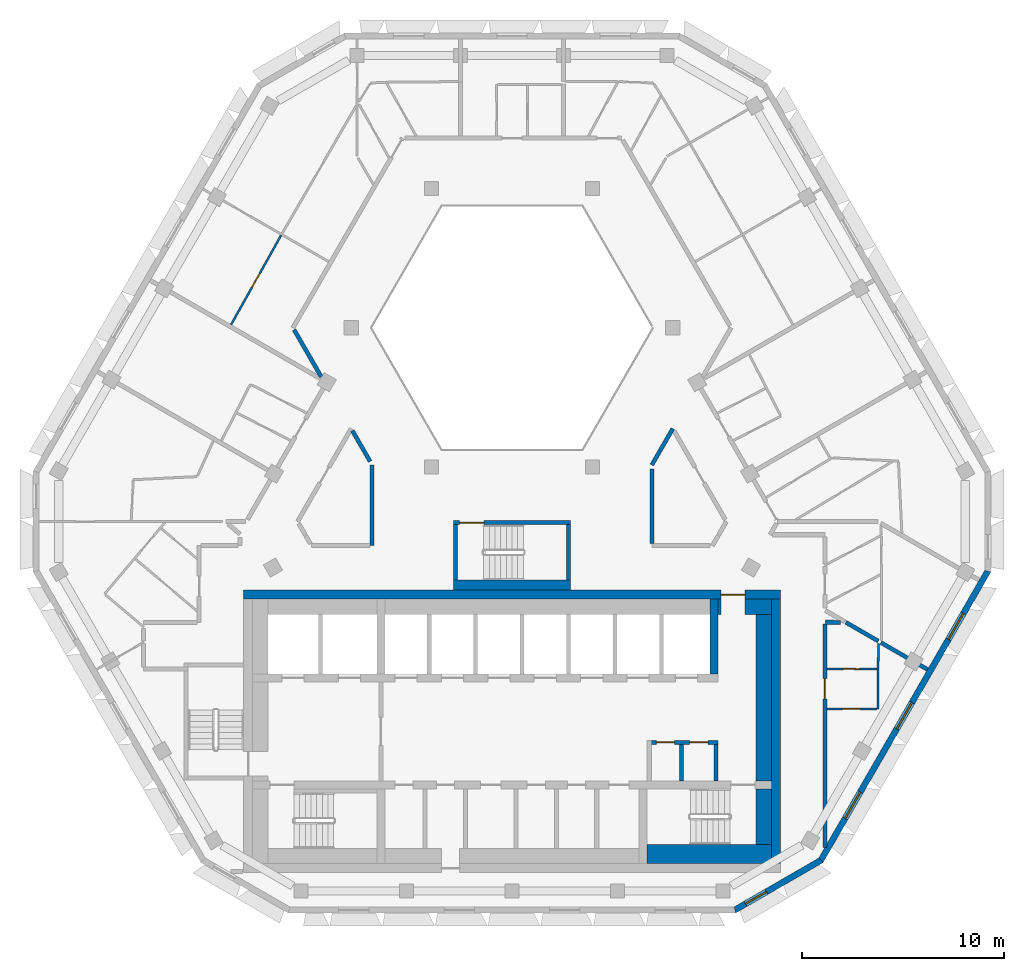
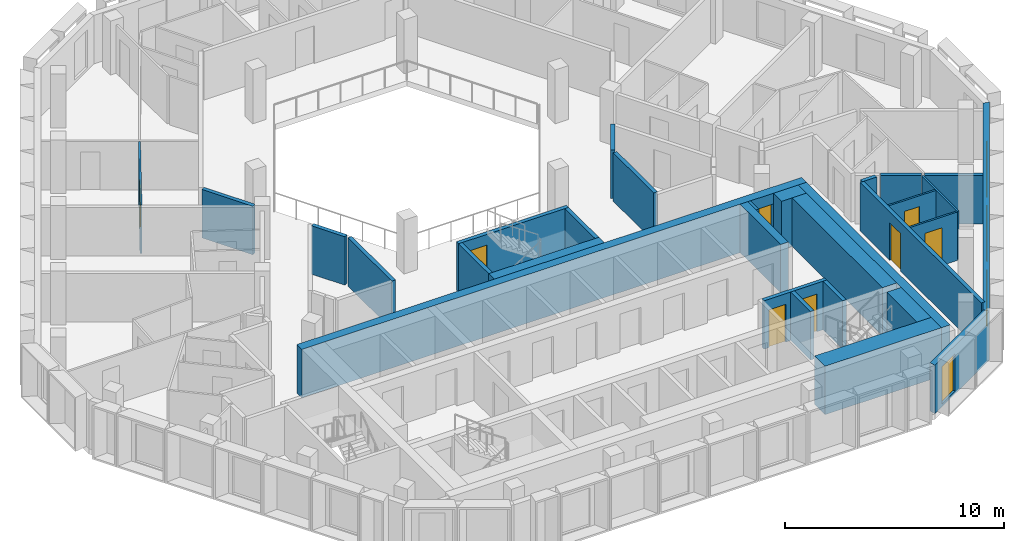
# One storey, part 5 of 15: 30 walls, 8 doors, 4 windows, 12 openings.
"""IFC4 building model written with IfcOpenShell, lengths in metres."""

from ifc_helpers import new_model, si_unit, direction, frame, frame_2d, origin, place, context, subcontext, project, spatial, polyline, rectangle, outline, extrude, material, layer, layer_set, type_object, element, fill, save


model = new_model("IFC4")

# Units and contexts
model_context = context("Model", 3, precision=1e-05, world=origin(), true_north=direction((0.0, 1.0)))
body_context = subcontext(model_context, "Body", "Model", "MODEL_VIEW")
ifc_project = project(units=[si_unit("LENGTHUNIT", "METRE"), si_unit("AREAUNIT", "SQUARE_METRE"), si_unit("VOLUMEUNIT", "CUBIC_METRE"), si_unit("PLANEANGLEUNIT", "RADIAN"), si_unit("MASSUNIT", "GRAM", prefix="KILO")], contexts=[model_context])

# Site, building, storey
site_placement = place(None, origin())
site = spatial("IfcSite", under=ifc_project, at=site_placement, CompositionType="ELEMENT")
building_placement = place(site_placement, origin())
building = spatial("IfcBuilding", under=site, at=building_placement, Name="Beryl Residences", CompositionType="ELEMENT")
storey_placement = place(building_placement, frame((0.0, 0.0, 205.800048828125)))
storey = spatial("IfcBuildingStorey", under=building, at=storey_placement, Name="L63", CompositionType="ELEMENT", Elevation=205.800048828125)

# Wall, opening, window
ifc_material_1 = material(Name="Composite metal panel with mineral wool insulation")
ifc_layer_1 = layer(ifc_material_1, 0.300048828125)
ifc_layer_set_1 = layer_set([ifc_layer_1], Name="ES1 pale metal composite panel wall 300 mm")
wall_type_1 = type_object("IfcWallType", Name="ES1 pale metal composite panel wall 300 mm", PredefinedType="SOLIDWALL", material=ifc_layer_set_1)
wall_1_placement = place(storey_placement, frame((11.010009765625, -20.8701171875, 0.0), z_axis=(0.0, 0.0, 1.0), x_axis=(0.866022959057, 0.500004234368, 0.0)))
wall_1 = element("IfcWall", 1, at=wall_1_placement, inside=storey, type_object=wall_type_1, Name="ES1 external wall L63 S-SE", PredefinedType="SOLIDWALL", context=body_context, shape_type="SweptSolid", body=[
    extrude(outline(polyline([(0.0, -0.14990234375), (5.0, -0.14990234375), (4.919677734375, 0.14990234375), (0.080322265625, 0.14990234375), (0.0, -0.14990234375)])), origin(), (0.0, 0.0, 1.0), 2.699951171875),
])
opening_1_placement = place(wall_1_placement, frame((0.64990234375, 0.0, 0.14990234375)))
opening_1 = element("IfcOpeningElement", 2, at=opening_1_placement, cuts=wall_1, Name="Opening W2", PredefinedType="OPENING", context=body_context, shape_type="SweptSolid", body=[
    extrude(rectangle(XDim=1.199951171875, YDim=2.10009765625, at=frame_2d((0.60009765625, 1.050048828125))), frame((0.0, 0.159912109375, 0.0), z_axis=(0.0, -1.0, 0.0), x_axis=(1.0, 0.0, 0.0)), (0.0, 0.0, 1.0), 0.320068359375),
])
ifc_material_2 = material(Name="Aluminium and clear glass", Category="aluminium")
window_type_1 = type_object("IfcWindowType", Name="W2 chamfer window 1200 x 2100 mm", PartitioningType="SINGLE_PANEL", PredefinedType="WINDOW", material=ifc_material_2)
window_1_placement = place(opening_1_placement, origin())
window_1 = element("IfcWindow", 3, at=window_1_placement, inside=storey, type_object=window_type_1, Name="W2 window L63 S-SE 1", OverallHeight=2.10009765625, OverallWidth=1.199951171875, PartitioningType="SINGLE_PANEL", PredefinedType="WINDOW", context=body_context, shape_type="SweptSolid", body=[
    extrude(rectangle(XDim=1.199951171875, YDim=2.10009765625, at=frame_2d((0.60009765625, 1.050048828125))), frame((0.0, 0.030029296875, 0.0), z_axis=(0.0, -1.0, 0.0), x_axis=(1.0, 0.0, 0.0)), (0.0, 0.0, 1.0), 0.06005859375),
])
fill(opening_1, window_1)

# Wall, openings, windows
wall_2_placement = place(storey_placement, frame((15.284912109375, -18.425048828125, 0.0), z_axis=(0.0, 0.0, 1.0), x_axis=(0.500012653391, 0.866018098222, 0.0)))
wall_2 = element("IfcWall", 4, at=wall_2_placement, inside=storey, type_object=wall_type_1, Name="ES1 external wall L63 SE", PredefinedType="SOLIDWALL", context=body_context, shape_type="SweptSolid", body=[
    extrude(outline(polyline([(0.0, -0.14990234375), (16.6279296875, -0.14990234375), (16.547607421875, 0.14990234375), (0.080322265625, 0.14990234375), (0.0, -0.14990234375)])), origin(), (0.0, 0.0, 1.0), 2.699951171875),
])
opening_2_placement = place(wall_2_placement, frame((2.444091796875, 0.0, 0.14990234375)))
opening_2 = element("IfcOpeningElement", 5, at=opening_2_placement, cuts=wall_2, Name="Opening W1", PredefinedType="OPENING", context=body_context, shape_type="SweptSolid", body=[
    extrude(rectangle(XDim=1.5, YDim=2.10009765625, at=frame_2d((0.75, 1.050048828125))), frame((0.0, 0.159912109375, 0.0), z_axis=(0.0, -1.0, 0.0), x_axis=(1.0, 0.0, 0.0)), (0.0, 0.0, 1.0), 0.320068359375),
])
opening_3_placement = place(wall_2_placement, frame((7.56396484375, 0.0, 0.14990234375)))
opening_3 = element("IfcOpeningElement", 6, at=opening_3_placement, cuts=wall_2, Name="Opening W1", PredefinedType="OPENING", context=body_context, shape_type="SweptSolid", body=[
    extrude(rectangle(XDim=1.5, YDim=2.10009765625, at=frame_2d((0.75, 1.050048828125))), frame((0.0, 0.159912109375, 0.0), z_axis=(0.0, -1.0, 0.0), x_axis=(1.0, 0.0, 0.0)), (0.0, 0.0, 1.0), 0.320068359375),
])
opening_4_placement = place(wall_2_placement, frame((12.681884765625, 0.0, 0.14990234375)))
opening_4 = element("IfcOpeningElement", 7, at=opening_4_placement, cuts=wall_2, Name="Opening W1", PredefinedType="OPENING", context=body_context, shape_type="SweptSolid", body=[
    extrude(rectangle(XDim=1.5, YDim=2.10009765625, at=frame_2d((0.75, 1.050048828125))), frame((0.0, 0.159912109375, 0.0), z_axis=(0.0, -1.0, 0.0), x_axis=(1.0, 0.0, 0.0)), (0.0, 0.0, 1.0), 0.320068359375),
])
ifc_material_3 = material(Name="Aluminium and clear glass", Category="aluminium")
window_type_2 = type_object("IfcWindowType", Name="W1 cell window 1500 x 2100 mm", PartitioningType="SINGLE_PANEL", PredefinedType="WINDOW", material=ifc_material_3)
window_2_placement = place(opening_2_placement, origin())
window_2 = element("IfcWindow", 8, at=window_2_placement, inside=storey, type_object=window_type_2, Name="W1 window L63 SE 2", OverallHeight=2.10009765625, OverallWidth=1.5, PartitioningType="SINGLE_PANEL", PredefinedType="WINDOW", context=body_context, shape_type="SweptSolid", body=[
    extrude(rectangle(XDim=1.5, YDim=2.10009765625, at=frame_2d((0.75, 1.050048828125))), frame((0.0, 0.030029296875, 0.0), z_axis=(0.0, -1.0, 0.0), x_axis=(1.0, 0.0, 0.0)), (0.0, 0.0, 1.0), 0.06005859375),
])
fill(opening_2, window_2)
window_3_placement = place(opening_3_placement, origin())
window_3 = element("IfcWindow", 9, at=window_3_placement, inside=storey, type_object=window_type_2, Name="W1 window L63 SE 4", OverallHeight=2.10009765625, OverallWidth=1.5, PartitioningType="SINGLE_PANEL", PredefinedType="WINDOW", context=body_context, shape_type="SweptSolid", body=[
    extrude(rectangle(XDim=1.5, YDim=2.10009765625, at=frame_2d((0.75, 1.050048828125))), frame((0.0, 0.030029296875, 0.0), z_axis=(0.0, -1.0, 0.0), x_axis=(1.0, 0.0, 0.0)), (0.0, 0.0, 1.0), 0.06005859375),
])
fill(opening_3, window_3)
window_4_placement = place(opening_4_placement, origin())
window_4 = element("IfcWindow", 10, at=window_4_placement, inside=storey, type_object=window_type_2, Name="W1 window L63 SE 6", OverallHeight=2.10009765625, OverallWidth=1.5, PartitioningType="SINGLE_PANEL", PredefinedType="WINDOW", context=body_context, shape_type="SweptSolid", body=[
    extrude(rectangle(XDim=1.5, YDim=2.10009765625, at=frame_2d((0.75, 1.050048828125))), frame((0.0, 0.030029296875, 0.0), z_axis=(0.0, -1.0, 0.0), x_axis=(1.0, 0.0, 0.0)), (0.0, 0.0, 1.0), 0.06005859375),
])
fill(opening_4, window_4)

# Wall, opening, door
ifc_material_4 = material(Name="Gypsum board partition on steel studs", Category="steel")
ifc_layer_2 = layer(ifc_material_4, 0.10009765625)
ifc_layer_set_2 = layer_set([ifc_layer_2], Name="PT1 partition 100 mm gypsum board on steel studs")
wall_type_2 = type_object("IfcWallType", Name="PT1 partition 100 mm gypsum board on steel studs", PredefinedType="PARTITIONING", material=ifc_layer_set_2)
wall_3_placement = place(storey_placement, frame((15.60009765625, -8.90087890625, 0.0), z_axis=(0.0, 0.0, 1.0), x_axis=(0.999986038514, -0.005284200615, 0.0)))
wall_3 = element("IfcWall", 11, at=wall_3_placement, inside=storey, type_object=wall_type_2, Name="Wall PT1 L63 001", PredefinedType="PARTITIONING", context=body_context, shape_type="SweptSolid", body=[
    extrude(rectangle(XDim=2.494873046875, YDim=0.10009765625, at=frame_2d((1.24755859375, 0.0))), origin(), (0.0, 0.0, 1.0), 2.699951171875),
])
opening_5_placement = place(wall_3_placement, frame((0.822998046875, 0.0, 0.0)))
opening_5 = element("IfcOpeningElement", 12, at=opening_5_placement, cuts=wall_3, Name="Opening D2132", PredefinedType="OPENING", context=body_context, shape_type="SweptSolid", body=[
    extrude(rectangle(XDim=0.800048828125, YDim=2.10009765625, at=frame_2d((0.39990234375, 1.050048828125))), frame((0.0, 0.06005859375, 0.0), z_axis=(0.0, -1.0, 0.0), x_axis=(1.0, 0.0, 0.0)), (0.0, 0.0, 1.0), 0.1201171875),
])
ifc_material_5 = material(Name="Timber door leaf", Category="wood")
door_type_1 = type_object("IfcDoorType", Name="D3 bathroom door 800 x 2100 mm", OperationType="SINGLE_SWING_LEFT", PredefinedType="DOOR", material=ifc_material_5)
door_1_placement = place(opening_5_placement, origin())
door_1 = element("IfcDoor", 13, at=door_1_placement, inside=storey, type_object=door_type_1, Name="Door D2132 L63 001", OperationType="SINGLE_SWING_RIGHT", OverallHeight=2.10009765625, OverallWidth=0.800048828125, PredefinedType="DOOR", context=body_context, shape_type="SweptSolid", body=[
    extrude(rectangle(XDim=0.800048828125, YDim=2.10009765625, at=frame_2d((0.39990234375, 1.050048828125))), frame((0.0, 0.02490234375, 0.0), z_axis=(0.0, -1.0, 0.0), x_axis=(1.0, 0.0, 0.0)), (0.0, 0.0, 1.0), 0.050048828125),
])
fill(opening_5, door_1)

wall_4_placement = place(storey_placement, frame((15.60009765625, -10.881103515625, 0.0), z_axis=(0.0, 0.0, 1.0), x_axis=(0.999986431575, -0.005209286502, 0.0)))
wall_4 = element("IfcWall", 14, at=wall_4_placement, inside=storey, type_object=wall_type_2, Name="Wall PT1 L63 002", PredefinedType="PARTITIONING", context=body_context, shape_type="SweptSolid", body=[
    extrude(rectangle(XDim=2.48388671875, YDim=0.10009765625, at=frame_2d((1.241943359375, 0.0))), origin(), (0.0, 0.0, 1.0), 2.699951171875),
])
opening_6_placement = place(wall_4_placement, frame((0.76806640625, 0.0, 0.0)))
opening_6 = element("IfcOpeningElement", 15, at=opening_6_placement, cuts=wall_4, Name="Opening D2131", PredefinedType="OPENING", context=body_context, shape_type="SweptSolid", body=[
    extrude(rectangle(XDim=0.89990234375, YDim=2.10009765625, at=frame_2d((0.449951171875, 1.050048828125))), frame((0.0, 0.06005859375, 0.0), z_axis=(0.0, -1.0, 0.0), x_axis=(1.0, 0.0, 0.0)), (0.0, 0.0, 1.0), 0.1201171875),
])
ifc_material_6 = material(Name="Timber door leaf", Category="wood")
door_type_2 = type_object("IfcDoorType", Name="D2 room door 900 x 2100 mm", OperationType="SINGLE_SWING_LEFT", PredefinedType="DOOR", material=ifc_material_6)
door_2_placement = place(opening_6_placement, origin())
door_2 = element("IfcDoor", 16, at=door_2_placement, inside=storey, type_object=door_type_2, Name="Door D2131 L63 001", OperationType="SINGLE_SWING_LEFT", OverallHeight=2.10009765625, OverallWidth=0.89990234375, PredefinedType="DOOR", context=body_context, shape_type="SweptSolid", body=[
    extrude(rectangle(XDim=0.89990234375, YDim=2.10009765625, at=frame_2d((0.449951171875, 1.050048828125))), frame((0.0, 0.02490234375, 0.0), z_axis=(0.0, -1.0, 0.0), x_axis=(1.0, 0.0, 0.0)), (0.0, 0.0, 1.0), 0.050048828125),
])
fill(opening_6, door_2)

wall_5_placement = place(storey_placement, frame((-13.9208984375, 8.153076171875, 0.0), z_axis=(0.0, 0.0, 1.0), x_axis=(0.488568218554, 0.872525699231, 0.0)))
wall_5 = element("IfcWall", 17, at=wall_5_placement, inside=storey, type_object=wall_type_2, Name="Wall PT1 L63 031", PredefinedType="PARTITIONING", context=body_context, shape_type="SweptSolid", body=[
    extrude(rectangle(XDim=5.075927734375, YDim=0.10009765625, at=frame_2d((2.5380859375, 0.0))), origin(), (0.0, 0.0, 1.0), 2.699951171875),
])
opening_7_placement = place(wall_5_placement, frame((2.113037109375, 0.0, 0.0)))
opening_7 = element("IfcOpeningElement", 18, at=opening_7_placement, cuts=wall_5, Name="Opening D2119", PredefinedType="OPENING", context=body_context, shape_type="SweptSolid", body=[
    extrude(rectangle(XDim=0.800048828125, YDim=2.10009765625, at=frame_2d((0.39990234375, 1.050048828125))), frame((0.0, 0.06005859375, 0.0), z_axis=(0.0, -1.0, 0.0), x_axis=(1.0, 0.0, 0.0)), (0.0, 0.0, 1.0), 0.1201171875),
])
door_3_placement = place(opening_7_placement, origin())
door_3 = element("IfcDoor", 19, at=door_3_placement, inside=storey, type_object=door_type_1, Name="Door D2119 L63 001", OperationType="SINGLE_SWING_LEFT", OverallHeight=2.10009765625, OverallWidth=0.800048828125, PredefinedType="DOOR", context=body_context, shape_type="SweptSolid", body=[
    extrude(rectangle(XDim=0.800048828125, YDim=2.10009765625, at=frame_2d((0.39990234375, 1.050048828125))), frame((0.0, 0.02490234375, 0.0), z_axis=(0.0, -1.0, 0.0), x_axis=(1.0, 0.0, 0.0)), (0.0, 0.0, 1.0), 0.050048828125),
])
fill(opening_7, door_3)

# Wall
wall_6_placement = place(storey_placement, frame((18.135009765625, -10.89306640625, 0.0), z_axis=(0.0, 0.0, 1.0), x_axis=(0.005255182688, 0.999986191432, 0.0)))
element("IfcWall", 20, at=wall_6_placement, inside=storey, type_object=wall_type_2, Name="Wall PT1 L63 036", PredefinedType="PARTITIONING", context=body_context, shape_type="SweptSolid", body=[
    extrude(rectangle(XDim=3.251953125, YDim=0.10009765625, at=frame_2d((1.6259765625, 0.0))), origin(), (0.0, 0.0, 1.0), 2.699951171875),
])

# Wall, openings, doors
ifc_material_7 = material(Name="Concrete masonry", Category="masonry")
ifc_layer_3 = layer(ifc_material_7, 0.199951171875)
ifc_layer_set_3 = layer_set([ifc_layer_3], Name="PT13 lobby wall 200 mm")
wall_type_3 = type_object("IfcWallType", Name="PT13 lobby wall 200 mm", PredefinedType="PARTITIONING", material=ifc_layer_set_3)
wall_7_placement = place(storey_placement, frame((6.89990234375, -12.550048828125, 0.0), z_axis=(0.0, 0.0, 1.0), x_axis=(1.0, 0.0, 0.0)))
wall_7 = element("IfcWall", 21, at=wall_7_placement, inside=storey, type_object=wall_type_3, Name="Lobby wall 28", PredefinedType="PARTITIONING", context=body_context, shape_type="SweptSolid", body=[
    extrude(rectangle(XDim=3.300048828125, YDim=0.199951171875, at=frame_2d((1.64990234375, 0.0))), origin(), (0.0, 0.0, 1.0), 2.699951171875),
])
opening_8_placement = place(wall_7_placement, frame((1.14990234375, 0.0, 0.0), z_axis=(0.0, 0.0, 1.0), x_axis=(-1.0, 0.0, 0.0)))
opening_8 = element("IfcOpeningElement", 22, at=opening_8_placement, cuts=wall_7, Name="Opening CD-D-A1-900", PredefinedType="OPENING", context=body_context, shape_type="SweptSolid", body=[
    extrude(rectangle(XDim=0.89990234375, YDim=2.10009765625, at=frame_2d((0.449951171875, 1.050048828125))), frame((0.0, 0.10986328125, 0.0), z_axis=(0.0, -1.0, 0.0), x_axis=(1.0, 0.0, 0.0)), (0.0, 0.0, 1.0), 0.219970703125),
])
opening_9_placement = place(wall_7_placement, frame((2.7998046875, 0.0, 0.0), z_axis=(0.0, 0.0, 1.0), x_axis=(-1.0, 0.0, 0.0)))
opening_9 = element("IfcOpeningElement", 23, at=opening_9_placement, cuts=wall_7, Name="Opening CD-D-A2-900", PredefinedType="OPENING", context=body_context, shape_type="SweptSolid", body=[
    extrude(rectangle(XDim=0.89990234375, YDim=2.10009765625, at=frame_2d((0.449951171875, 1.050048828125))), frame((0.0, 0.10986328125, 0.0), z_axis=(0.0, -1.0, 0.0), x_axis=(1.0, 0.0, 0.0)), (0.0, 0.0, 1.0), 0.219970703125),
])
ifc_material_8 = material(Name="Steel door leaf in steel frame", Category="steel")
door_type_3 = type_object("IfcDoorType", Name="D6 service room door 900 x 2100 mm", OperationType="SINGLE_SWING_LEFT", PredefinedType="DOOR", material=ifc_material_8)
door_4_placement = place(opening_8_placement, origin())
door_4 = element("IfcDoor", 24, at=door_4_placement, inside=storey, type_object=door_type_3, Name="Door CD-D-A1-900 L63 001", OperationType="SINGLE_SWING_RIGHT", OverallHeight=2.10009765625, OverallWidth=0.89990234375, PredefinedType="DOOR", context=body_context, shape_type="SweptSolid", body=[
    extrude(rectangle(XDim=0.89990234375, YDim=2.10009765625, at=frame_2d((0.449951171875, 1.050048828125))), frame((0.0, 0.02490234375, 0.0), z_axis=(0.0, -1.0, 0.0), x_axis=(1.0, 0.0, 0.0)), (0.0, 0.0, 1.0), 0.050048828125),
])
fill(opening_8, door_4)
door_5_placement = place(opening_9_placement, origin())
door_5 = element("IfcDoor", 25, at=door_5_placement, inside=storey, type_object=door_type_3, Name="Door CD-D-A2-900 L63 001", OperationType="SINGLE_SWING_LEFT", OverallHeight=2.10009765625, OverallWidth=0.89990234375, PredefinedType="DOOR", context=body_context, shape_type="SweptSolid", body=[
    extrude(rectangle(XDim=0.89990234375, YDim=2.10009765625, at=frame_2d((0.449951171875, 1.050048828125))), frame((0.0, 0.02490234375, 0.0), z_axis=(0.0, -1.0, 0.0), x_axis=(1.0, 0.0, 0.0)), (0.0, 0.0, 1.0), 0.050048828125),
])
fill(opening_9, door_5)

# Walls
wall_8_placement = place(storey_placement, frame((10.10009765625, -14.449951171875, 0.0), z_axis=(0.0, 0.0, 1.0), x_axis=(0.0, 1.0, 0.0)))
element("IfcWall", 26, at=wall_8_placement, inside=storey, type_object=wall_type_3, Name="Lobby wall 31", PredefinedType="PARTITIONING", context=body_context, shape_type="SweptSolid", body=[
    extrude(rectangle(XDim=1.800048828125, YDim=0.199951171875, at=frame_2d((0.89990234375, 0.0))), origin(), (0.0, 0.0, 1.0), 2.699951171875),
])
ifc_material_9 = material(Name="Concrete masonry", Category="masonry")
ifc_layer_4 = layer(ifc_material_9, 0.14990234375)
ifc_layer_set_4 = layer_set([ifc_layer_4], Name="PT13-150 lobby wall 150 mm")
wall_type_4 = type_object("IfcWallType", Name="PT13-150 lobby wall 150 mm", PredefinedType="PARTITIONING", material=ifc_layer_set_4)
wall_9_placement = place(storey_placement, frame((10.27490234375, -6.199951171875, 0.0), z_axis=(0.0, 0.0, 1.0), x_axis=(0.0, 1.0, 0.0)))
element("IfcWall", 27, at=wall_9_placement, inside=storey, type_object=wall_type_4, Name="Lobby wall 32", PredefinedType="PARTITIONING", context=body_context, shape_type="SweptSolid", body=[
    extrude(rectangle(XDim=0.75, YDim=0.14990234375, at=frame_2d((0.375, 0.0))), origin(), (0.0, 0.0, 1.0), 2.699951171875),
])
ifc_material_10 = material(Name="Concrete masonry", Category="masonry")
ifc_layer_5 = layer(ifc_material_10, 0.75)
ifc_layer_set_5 = layer_set([ifc_layer_5], Name="PT13-750 lobby wall 750 mm")
wall_type_5 = type_object("IfcWallType", Name="PT13-750 lobby wall 750 mm", PredefinedType="PARTITIONING", material=ifc_layer_set_5)
wall_10_placement = place(storey_placement, frame((11.550048828125, -5.824951171875, 0.0), z_axis=(0.0, 0.0, 1.0), x_axis=(1.0, 0.0, 0.0)))
element("IfcWall", 28, at=wall_10_placement, inside=storey, type_object=wall_type_5, Name="Lobby wall 33", PredefinedType="PARTITIONING", context=body_context, shape_type="SweptSolid", body=[
    extrude(rectangle(XDim=1.300048828125, YDim=0.75, at=frame_2d((0.64990234375, 0.0))), origin(), (0.0, 0.0, 1.0), 2.699951171875),
])
wall_11_placement = place(storey_placement, frame((12.47509765625, -14.449951171875, 0.0), z_axis=(0.0, 0.0, 1.0), x_axis=(0.0, 1.0, 0.0)))
element("IfcWall", 29, at=wall_11_placement, inside=storey, type_object=wall_type_5, Name="Lobby wall 35", PredefinedType="PARTITIONING", context=body_context, shape_type="SweptSolid", body=[
    extrude(rectangle(XDim=8.25, YDim=0.75, at=frame_2d((4.125, 0.0))), origin(), (0.0, 0.0, 1.0), 2.699951171875),
])
ifc_material_11 = material(Name="Acoustic double stud gypsum board wall")
ifc_layer_6 = layer(ifc_material_11, 0.199951171875)
ifc_layer_set_6 = layer_set([ifc_layer_6], Name="PT3 party wall 200 mm acoustic double stud")
wall_type_6 = type_object("IfcWallType", Name="PT3 party wall 200 mm acoustic double stud", PredefinedType="PARTITIONING", material=ifc_layer_set_6)
wall_12_placement = place(storey_placement, frame((15.530029296875, -6.591064453125, 0.0), z_axis=(0.0, 0.0, 1.0), x_axis=(0.999992350786, -0.003911312976, 0.0)))
element("IfcWall", 30, at=wall_12_placement, inside=storey, type_object=wall_type_6, Name="Wall PT3 L63 001", PredefinedType="PARTITIONING", context=body_context, shape_type="SweptSolid", body=[
    extrude(rectangle(XDim=0.7490234375, YDim=0.199951171875, at=frame_2d((0.37451171875, 0.0))), origin(), (0.0, 0.0, 1.0), 2.699951171875),
])
wall_13_placement = place(storey_placement, frame((16.541015625, -6.595947265625, 0.0), z_axis=(0.0, 0.0, 1.0), x_axis=(0.866078502609, -0.499908018857, 0.0)))
element("IfcWall", 31, at=wall_13_placement, inside=storey, type_object=wall_type_6, Name="Wall PT3 L63 008", PredefinedType="PARTITIONING", context=body_context, shape_type="SweptSolid", body=[
    extrude(rectangle(XDim=1.860107421875, YDim=0.199951171875, at=frame_2d((0.93017578125, 0.0))), origin(), (0.0, 0.0, 1.0), 2.699951171875),
])
wall_14_placement = place(storey_placement, frame((18.280029296875, -7.60009765625, 0.0), z_axis=(0.0, 0.0, 1.0), x_axis=(0.866072847874, -0.499917815422, 0.0)))
element("IfcWall", 32, at=wall_14_placement, inside=storey, type_object=wall_type_6, Name="Wall PT3 L63 009", PredefinedType="PARTITIONING", context=body_context, shape_type="SweptSolid", body=[
    extrude(rectangle(XDim=2.66845703125, YDim=0.199951171875, at=frame_2d((1.334228515625, 0.0))), origin(), (0.0, 0.0, 1.0), 2.699951171875),
])
ifc_material_12 = material(Name="Double stud gypsum board wall")
ifc_layer_7 = layer(ifc_material_12, 0.199951171875)
ifc_layer_set_7 = layer_set([ifc_layer_7], Name="PT4 corridor wall 200 mm double stud")
wall_type_7 = type_object("IfcWallType", Name="PT4 corridor wall 200 mm double stud", PredefinedType="PARTITIONING", material=ifc_layer_set_7)
wall_15_placement = place(storey_placement, frame((-10.7958984375, 7.89990234375, 0.0), z_axis=(0.0, 0.0, 1.0), x_axis=(0.499698840221, -0.866199208659, 0.0)))
element("IfcWall", 33, at=wall_15_placement, inside=storey, type_object=wall_type_7, Name="Wall PT4 L63 001", PredefinedType="PARTITIONING", context=body_context, shape_type="SweptSolid", body=[
    extrude(rectangle(XDim=2.685302734375, YDim=0.199951171875, at=frame_2d((1.3427734375, 0.0))), origin(), (0.0, 0.0, 1.0), 2.699951171875),
])
wall_16_placement = place(storey_placement, frame((-7.908935546875, 2.89794921875, 0.0), z_axis=(0.0, 0.0, 1.0), x_axis=(0.50019444547, -0.865913111531, 0.0)))
element("IfcWall", 34, at=wall_16_placement, inside=storey, type_object=wall_type_7, Name="Wall PT4 L63 002", PredefinedType="PARTITIONING", context=body_context, shape_type="SweptSolid", body=[
    extrude(rectangle(XDim=1.760986328125, YDim=0.199951171875, at=frame_2d((0.88037109375, 0.0))), origin(), (0.0, 0.0, 1.0), 2.699951171875),
])
wall_17_placement = place(storey_placement, frame((6.927978515625, 1.0, 0.0), z_axis=(0.0, 0.0, 1.0), x_axis=(0.0, -1.0, 0.0)))
element("IfcWall", 35, at=wall_17_placement, inside=storey, type_object=wall_type_7, Name="Wall PT4 L63 009", PredefinedType="PARTITIONING", context=body_context, shape_type="SweptSolid", body=[
    extrude(rectangle(XDim=3.698974609375, YDim=0.199951171875, at=frame_2d((1.849609375, 0.0))), origin(), (0.0, 0.0, 1.0), 2.699951171875),
])
wall_18_placement = place(storey_placement, frame((6.927978515625, 1.199951171875, 0.0), z_axis=(0.0, 0.0, 1.0), x_axis=(0.500132712588, 0.865948768577, 0.0)))
element("IfcWall", 36, at=wall_18_placement, inside=storey, type_object=wall_type_7, Name="Wall PT4 L63 018", PredefinedType="PARTITIONING", context=body_context, shape_type="SweptSolid", body=[
    extrude(rectangle(XDim=2.07763671875, YDim=0.199951171875, at=frame_2d((1.038818359375, 0.0))), origin(), (0.0, 0.0, 1.0), 2.699951171875),
])

# Wall, opening, door
wall_19_placement = place(storey_placement, frame((15.5, -17.751953125, 0.0), z_axis=(0.0, 0.0, 1.0), x_axis=(0.0, 1.0, 0.0)))
wall_19 = element("IfcWall", 37, at=wall_19_placement, inside=storey, type_object=wall_type_7, Name="Wall PT4 L63 026", PredefinedType="PARTITIONING", context=body_context, shape_type="SweptSolid", body=[
    extrude(rectangle(XDim=11.06201171875, YDim=0.199951171875, at=frame_2d((5.531005859375, 0.0))), origin(), (0.0, 0.0, 1.0), 2.699951171875),
])
opening_10_placement = place(wall_19_placement, frame((7.361083984375, 0.0, 0.0)))
opening_10 = element("IfcOpeningElement", 38, at=opening_10_placement, cuts=wall_19, Name="Opening D2130", PredefinedType="OPENING", context=body_context, shape_type="SweptSolid", body=[
    extrude(rectangle(XDim=1.0, YDim=2.10009765625, at=frame_2d((0.5, 1.050048828125))), frame((0.0, 0.10986328125, 0.0), z_axis=(0.0, -1.0, 0.0), x_axis=(1.0, 0.0, 0.0)), (0.0, 0.0, 1.0), 0.219970703125),
])
ifc_material_13 = material(Name="Timber door leaf", Category="wood")
door_type_4 = type_object("IfcDoorType", Name="D1 flat entrance door 1000 x 2100 mm", OperationType="SINGLE_SWING_LEFT", PredefinedType="DOOR", material=ifc_material_13)
door_6_placement = place(opening_10_placement, origin())
door_6 = element("IfcDoor", 39, at=door_6_placement, inside=storey, type_object=door_type_4, Name="Door D2130 L63 001", OperationType="SINGLE_SWING_RIGHT", OverallHeight=2.10009765625, OverallWidth=1.0, PredefinedType="DOOR", context=body_context, shape_type="SweptSolid", body=[
    extrude(rectangle(XDim=1.0, YDim=2.10009765625, at=frame_2d((0.5, 1.050048828125))), frame((0.0, 0.02490234375, 0.0), z_axis=(0.0, -1.0, 0.0), x_axis=(1.0, 0.0, 0.0)), (0.0, 0.0, 1.0), 0.050048828125),
])
fill(opening_10, door_6)

# Wall
wall_20_placement = place(storey_placement, frame((-6.927978515625, -2.799072265625, 0.0), z_axis=(0.0, 0.0, 1.0), x_axis=(0.0, 1.0, 0.0)))
element("IfcWall", 40, at=wall_20_placement, inside=storey, type_object=wall_type_7, Name="Wall PT4 L63 028", PredefinedType="PARTITIONING", context=body_context, shape_type="SweptSolid", body=[
    extrude(rectangle(XDim=3.9990234375, YDim=0.199951171875, at=frame_2d((1.99951171875, 0.0))), origin(), (0.0, 0.0, 1.0), 2.699951171875),
])

# Wall, opening, door
ifc_material_14 = material(Name="Concrete C40/50", Category="concrete")
ifc_layer_8 = layer(ifc_material_14, 0.199951171875)
ifc_layer_set_8 = layer_set([ifc_layer_8], Name="PT5 stair enclosure wall 200 mm reinforced concrete C40/50")
wall_type_8 = type_object("IfcWallType", Name="PT5 stair enclosure wall 200 mm reinforced concrete C40/50", PredefinedType="SOLIDWALL", material=ifc_layer_set_8)
wall_21_placement = place(storey_placement, frame((-2.89990234375, -1.64990234375, 0.0), z_axis=(0.0, 0.0, 1.0), x_axis=(1.0, 0.0, 0.0)))
wall_21 = element("IfcWall", 41, at=wall_21_placement, inside=storey, type_object=wall_type_8, Name="Wall PT5 L63 001", PredefinedType="SOLIDWALL", context=body_context, shape_type="SweptSolid", body=[
    extrude(rectangle(XDim=5.7998046875, YDim=0.199951171875, at=frame_2d((2.89990234375, 0.0))), origin(), (0.0, 0.0, 1.0), 2.699951171875),
])
opening_11_placement = place(wall_21_placement, frame((0.300048828125, 0.0, 0.0)))
opening_11 = element("IfcOpeningElement", 42, at=opening_11_placement, cuts=wall_21, Name="Opening DS04", PredefinedType="OPENING", context=body_context, shape_type="SweptSolid", body=[
    extrude(rectangle(XDim=1.199951171875, YDim=2.10009765625, at=frame_2d((0.60009765625, 1.050048828125))), frame((0.0, 0.10986328125, 0.0), z_axis=(0.0, -1.0, 0.0), x_axis=(1.0, 0.0, 0.0)), (0.0, 0.0, 1.0), 0.219970703125),
])
ifc_material_15 = material(Name="Steel door leaf in steel frame", Category="steel")
door_type_5 = type_object("IfcDoorType", Name="D4 stair door 1200 x 2100 mm", OperationType="SINGLE_SWING_LEFT", PredefinedType="DOOR", material=ifc_material_15)
door_7_placement = place(opening_11_placement, origin())
door_7 = element("IfcDoor", 43, at=door_7_placement, inside=storey, type_object=door_type_5, Name="Door DS04 L63 001", OperationType="SINGLE_SWING_LEFT", OverallHeight=2.10009765625, OverallWidth=1.199951171875, PredefinedType="DOOR", context=body_context, shape_type="SweptSolid", body=[
    extrude(rectangle(XDim=1.199951171875, YDim=2.10009765625, at=frame_2d((0.60009765625, 1.050048828125))), frame((0.0, 0.02490234375, 0.0), z_axis=(0.0, -1.0, 0.0), x_axis=(1.0, 0.0, 0.0)), (0.0, 0.0, 1.0), 0.050048828125),
])
fill(opening_11, door_7)

# Walls
for number, where, z_axis, x_axis, name in (
    (44, (-2.800048828125, -4.5, 0.0), (0.0, 0.0, 1.0), (0.0, 1.0, 0.0), "Wall PT5 L63 002"),
    (45, (2.800048828125, -4.5, 0.0), (0.0, 0.0, 1.0), (0.0, 1.0, 0.0), "Wall PT5 L63 003"),
):
    element("IfcWall", number, at=place(storey_placement, frame(where, z_axis=z_axis, x_axis=x_axis)), inside=storey, type_object=wall_type_8, Name=name, PredefinedType="SOLIDWALL", context=body_context, shape_type="SweptSolid", body=[
        extrude(rectangle(XDim=2.75, YDim=0.199951171875, at=frame_2d((1.375, 0.0))), origin(), (0.0, 0.0, 1.0), 2.699951171875),
    ])
ifc_material_16 = material(Name="Concrete C40/50", Category="concrete")
ifc_layer_9 = layer(ifc_material_16, 0.5)
ifc_layer_set_9 = layer_set([ifc_layer_9], Name="PT5-500 stair enclosure wall 500 mm")
wall_type_9 = type_object("IfcWallType", Name="PT5-500 stair enclosure wall 500 mm", PredefinedType="SOLIDWALL", material=ifc_layer_set_9)
wall_22_placement = place(storey_placement, frame((-2.89990234375, -4.75, 0.0), z_axis=(0.0, 0.0, 1.0), x_axis=(1.0, 0.0, 0.0)))
element("IfcWall", 46, at=wall_22_placement, inside=storey, type_object=wall_type_9, Name="Wall PT5-500 L63 001", PredefinedType="SOLIDWALL", context=body_context, shape_type="SweptSolid", body=[
    extrude(rectangle(XDim=5.7998046875, YDim=0.5, at=frame_2d((2.89990234375, 0.0))), origin(), (0.0, 0.0, 1.0), 2.699951171875),
])
ifc_material_17 = material(Name="Concrete C40/50", Category="concrete")
ifc_layer_10 = layer(ifc_material_17, 0.75)
ifc_layer_set_10 = layer_set([ifc_layer_10], Name="PT5-750 stair enclosure wall 750 mm")
wall_type_10 = type_object("IfcWallType", Name="PT5-750 stair enclosure wall 750 mm", PredefinedType="SOLIDWALL", material=ifc_layer_set_10)
wall_23_placement = place(storey_placement, frame((12.47509765625, -17.60009765625, 0.0), z_axis=(0.0, 0.0, 1.0), x_axis=(0.0, 1.0, 0.0)))
element("IfcWall", 47, at=wall_23_placement, inside=storey, type_object=wall_type_10, Name="Stair wall 34", PredefinedType="SOLIDWALL", context=body_context, shape_type="SweptSolid", body=[
    extrude(rectangle(XDim=2.75, YDim=0.75, at=frame_2d((1.375, 0.0))), origin(), (0.0, 0.0, 1.0), 2.699951171875),
])
ifc_material_18 = material(Name="Concrete C40/50", Category="concrete")
ifc_layer_11 = layer(ifc_material_18, 0.949951171875)
ifc_layer_set_11 = layer_set([ifc_layer_11], Name="PT5-950 stair enclosure wall 950 mm")
wall_type_11 = type_object("IfcWallType", Name="PT5-950 stair enclosure wall 950 mm", PredefinedType="SOLIDWALL", material=ifc_layer_set_11)
wall_24_placement = place(storey_placement, frame((6.699951171875, -18.074951171875, 0.0), z_axis=(0.0, 0.0, 1.0), x_axis=(1.0, 0.0, 0.0)))
element("IfcWall", 48, at=wall_24_placement, inside=storey, type_object=wall_type_11, Name="Stair wall 26", PredefinedType="SOLIDWALL", context=body_context, shape_type="SweptSolid", body=[
    extrude(rectangle(XDim=6.150146484375, YDim=0.949951171875, at=frame_2d((3.0751953125, 0.0))), origin(), (0.0, 0.0, 1.0), 2.699951171875),
])
ifc_material_19 = material(Name="Concrete masonry", Category="masonry")
ifc_layer_12 = layer(ifc_material_19, 0.199951171875)
ifc_layer_set_12 = layer_set([ifc_layer_12], Name="PT8-200 service room wall 200 mm")
wall_type_12 = type_object("IfcWallType", Name="PT8-200 service room wall 200 mm", PredefinedType="PARTITIONING", material=ifc_layer_set_12)
wall_25_placement = place(storey_placement, frame((8.39990234375, -14.449951171875, 0.0), z_axis=(0.0, 0.0, 1.0), x_axis=(0.0, 1.0, 0.0)))
element("IfcWall", 49, at=wall_25_placement, inside=storey, type_object=wall_type_12, Name="Core room wall 30", PredefinedType="PARTITIONING", context=body_context, shape_type="SweptSolid", body=[
    extrude(rectangle(XDim=1.800048828125, YDim=0.199951171875, at=frame_2d((0.89990234375, 0.0))), origin(), (0.0, 0.0, 1.0), 2.699951171875),
])
ifc_material_20 = material(Name="Concrete C50/60", Category="concrete")
ifc_layer_13 = layer(ifc_material_20, 0.39990234375)
ifc_layer_set_13 = layer_set([ifc_layer_13], Name="SW10 core internal wall 400 mm C50/60")
wall_type_13 = type_object("IfcWallType", Name="SW10 core internal wall 400 mm C50/60", PredefinedType="SHEAR", material=ifc_layer_set_13)
wall_26_placement = place(storey_placement, frame((10.0, -9.14990234375, 0.0), z_axis=(0.0, 0.0, 1.0), x_axis=(0.0, 1.0, 0.0)))
element("IfcWall", 50, at=wall_26_placement, inside=storey, type_object=wall_type_13, Name="Core wall XN2 L63", PredefinedType="SHEAR", context=body_context, shape_type="SweptSolid", body=[
    extrude(rectangle(XDim=3.699951171875, YDim=0.39990234375, at=frame_2d((1.85009765625, 0.0))), origin(), (0.0, 0.0, 1.0), 2.699951171875),
])

# Wall, opening, door
ifc_material_21 = material(Name="Concrete C50/60", Category="concrete")
ifc_layer_14 = layer(ifc_material_21, 0.449951171875)
ifc_layer_set_14 = layer_set([ifc_layer_14], Name="SW5 core outer wall 450 mm C50/60")
wall_type_14 = type_object("IfcWallType", Name="SW5 core outer wall 450 mm C50/60", PredefinedType="SHEAR", material=ifc_layer_set_14)
wall_27_placement = place(storey_placement, frame((-13.300048828125, -5.22509765625, 0.0), z_axis=(0.0, 0.0, 1.0), x_axis=(1.0, 0.0, 0.0)))
wall_27 = element("IfcWall", 51, at=wall_27_placement, inside=storey, type_object=wall_type_14, Name="Core wall N L63", PredefinedType="SHEAR", context=body_context, shape_type="SweptSolid", body=[
    extrude(rectangle(XDim=26.60009765625, YDim=0.449951171875, at=frame_2d((13.300048828125, 0.0))), origin(), (0.0, 0.0, 1.0), 2.699951171875),
])
opening_12_placement = place(wall_27_placement, frame((23.64990234375, 0.0, 0.0)))
opening_12 = element("IfcOpeningElement", 52, at=opening_12_placement, cuts=wall_27, Name="Opening FD-NORTH", PredefinedType="OPENING", context=body_context, shape_type="SweptSolid", body=[
    extrude(rectangle(XDim=1.199951171875, YDim=2.10009765625, at=frame_2d((0.60009765625, 1.050048828125))), frame((0.0, 0.23486328125, 0.0), z_axis=(0.0, -1.0, 0.0), x_axis=(1.0, 0.0, 0.0)), (0.0, 0.0, 1.0), 0.469970703125),
])
ifc_material_22 = material(Name="Steel door leaf in steel frame", Category="steel")
door_type_6 = type_object("IfcDoorType", Name="D22 lobby door 1200 x 2100 mm", OperationType="DOUBLE_DOOR_SINGLE_SWING", PredefinedType="DOOR", material=ifc_material_22)
door_8_placement = place(opening_12_placement, origin())
door_8 = element("IfcDoor", 53, at=door_8_placement, inside=storey, type_object=door_type_6, Name="Door FD-NORTH L63 001", OperationType="DOUBLE_DOOR_SINGLE_SWING", OverallHeight=2.10009765625, OverallWidth=1.199951171875, PredefinedType="DOOR", context=body_context, shape_type="SweptSolid", body=[
    extrude(rectangle(XDim=1.199951171875, YDim=2.10009765625, at=frame_2d((0.60009765625, 1.050048828125))), frame((0.0, 0.02490234375, 0.0), z_axis=(0.0, -1.0, 0.0), x_axis=(1.0, 0.0, 0.0)), (0.0, 0.0, 1.0), 0.050048828125),
])
fill(opening_12, door_8)

# Wall
wall_28_placement = place(storey_placement, frame((13.074951171875, -18.550048828125, 0.0), z_axis=(0.0, 0.0, 1.0), x_axis=(0.0, 1.0, 0.0)))
element("IfcWall", 54, at=wall_28_placement, inside=storey, type_object=wall_type_14, Name="Core wall E L63", PredefinedType="SHEAR", context=body_context, shape_type="SweptSolid", body=[
    extrude(rectangle(XDim=13.10009765625, YDim=0.449951171875, at=frame_2d((6.550048828125, 0.0))), origin(), (0.0, 0.0, 1.0), 2.699951171875),
])

save(model, "model.ifc")
